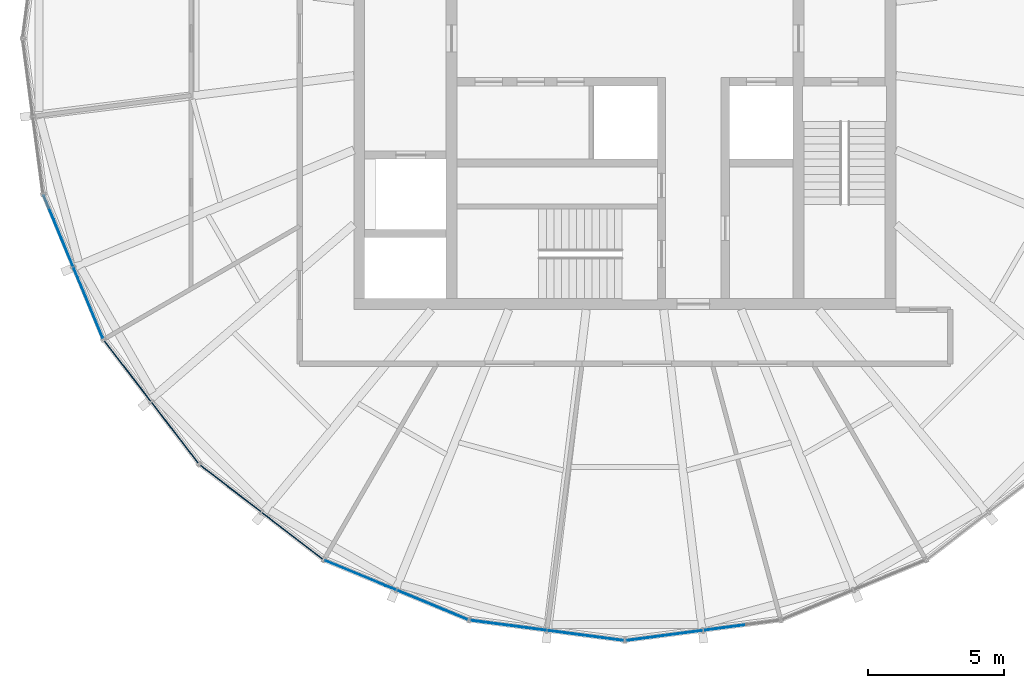
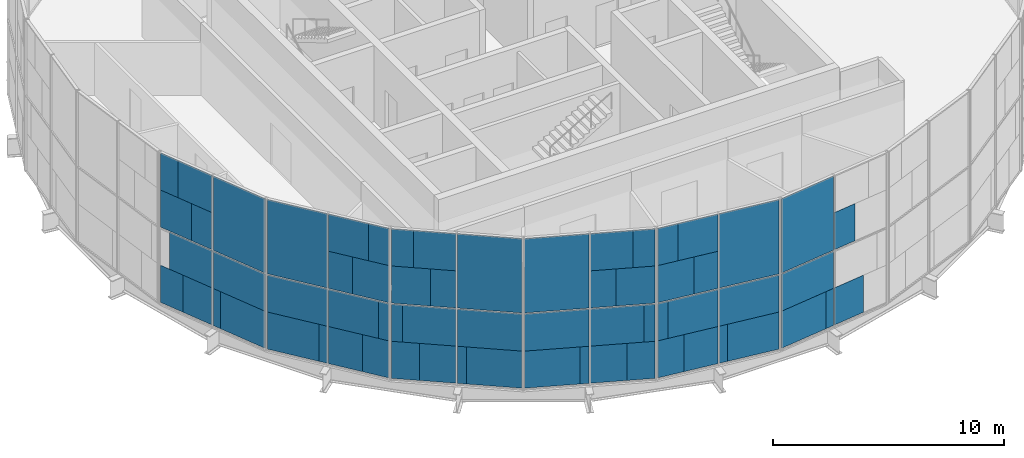
# One storey, part 8 of 19: 65 plates, 6 elements without a shape of their own.
"""IFC4 building model written with IfcOpenShell, lengths in metres."""

from ifc_helpers import new_model, si_unit, direction, frame, origin, origin_2d, place, context, subcontext, project, spatial, rectangle, extrude, material, layer, layer_set, type_object, element, aggregate, save


model = new_model("IFC4")

# Units and contexts
model_context = context("Model", 3, precision=1e-05, world=origin(), true_north=direction((0.0, 1.0)))
body_context = subcontext(model_context, "Body", "Model", "MODEL_VIEW")
ifc_project = project(units=[si_unit("LENGTHUNIT", "METRE"), si_unit("AREAUNIT", "SQUARE_METRE"), si_unit("VOLUMEUNIT", "CUBIC_METRE"), si_unit("PLANEANGLEUNIT", "RADIAN"), si_unit("MASSUNIT", "GRAM", prefix="KILO")], contexts=[model_context])

# Site, building, storey
site_placement = place(None, origin())
site = spatial("IfcSite", under=ifc_project, at=site_placement, CompositionType="ELEMENT")
building_placement = place(site_placement, origin())
building = spatial("IfcBuilding", under=site, at=building_placement, Name="Golbaran Civic Tower", CompositionType="ELEMENT")
storey_placement = place(building_placement, frame((0.0, 0.0, 256.0)))
storey = spatial("IfcBuildingStorey", under=building, at=storey_placement, Name="L62", CompositionType="ELEMENT", Elevation=256.0)

# Curtain wall, plates
ifc_material_1 = material(Name="Aluminium and glass", Category="aluminium")
curtain_wall_type = type_object("IfcCurtainWallType", Name="INNER SKIN CURTAIN WALL EXECUTIVE", PredefinedType="NOTDEFINED", material=ifc_material_1)
curtain_wall_1_placement = place(storey_placement, origin())
curtain_wall_1 = element("IfcCurtainWall", 1, at=curtain_wall_1_placement, inside=storey, type_object=curtain_wall_type, Name="Inner skin L62 facet 14 CW2", ObjectType="INNER SKIN", PredefinedType="USERDEFINED")
ifc_material_2 = material(Name="Clear insulating glass", Category="glass")
ifc_layer_1 = layer(ifc_material_2, 0.031982421875, Name="Clear insulating glass")
ifc_layer_set_1 = layer_set([ifc_layer_1], Name="Clear insulating glass")
plate_type_1 = type_object("IfcPlateType", Name="INNER SKIN CURTAIN WALL EXECUTIVE GLAZED PANEL", PredefinedType="CURTAIN_PANEL", material=ifc_layer_set_1)
plate_1_placement = place(storey_placement, frame((-21.198486328125, -6.371337890625, 0.06005859375), z_axis=(0.0, 0.0, 1.0), x_axis=(0.382683432365, -0.923879532511, 0.0)))
plate_1 = element("IfcPlate", 2, at=plate_1_placement, type_object=plate_type_1, Name="CW2 panel 1.1 part 1", PredefinedType="CURTAIN_PANEL", context=body_context, shape_type="SweptSolid", body=[
    extrude(rectangle(XDim=1.22705078125, YDim=0.031982421875, at=origin_2d()), origin(), (0.0, 0.0, 1.0), 1.955078125),
])
plate_2_placement = place(storey_placement, frame((-20.57177734375, -7.884033203125, 4.030029296875), z_axis=(0.0, 0.0, 1.0), x_axis=(0.382683432365, -0.923879532511, 0.0)))
plate_2 = element("IfcPlate", 3, at=plate_2_placement, type_object=plate_type_1, Name="CW2 panel 1.2 part 2", PredefinedType="CURTAIN_PANEL", context=body_context, shape_type="SweptSolid", body=[
    extrude(rectangle(XDim=1.117431640625, YDim=0.031982421875, at=origin_2d()), origin(), (0.0, 0.0, 1.0), 1.955078125),
])
plate_3_placement = place(storey_placement, frame((-20.71337890625, -7.5419921875, 5.98486328125), z_axis=(0.0, 0.0, 1.0), x_axis=(0.382683432365, -0.923879532511, 0.0)))
plate_3 = element("IfcPlate", 4, at=plate_3_placement, type_object=plate_type_1, Name="CW2 panel 1.2 part 4", PredefinedType="CURTAIN_PANEL", context=body_context, shape_type="SweptSolid", body=[
    extrude(rectangle(XDim=1.857421875, YDim=0.031982421875, at=origin_2d()), origin(), (0.0, 0.0, 1.0), 1.955078125),
])
plate_4_placement = place(storey_placement, frame((-19.720947265625, -9.93798828125, 0.06005859375), z_axis=(0.0, 0.0, 1.0), x_axis=(0.382683432365, -0.923879532511, 0.0)))
plate_4 = element("IfcPlate", 5, at=plate_4_placement, type_object=plate_type_1, Name="CW2 panel 2.1 part 2", PredefinedType="CURTAIN_PANEL", context=body_context, shape_type="SweptSolid", body=[
    extrude(rectangle(XDim=2.409423828125, YDim=0.031982421875, at=origin_2d()), origin(), (0.0, 0.0, 1.0), 1.955078125),
])
plate_5_placement = place(storey_placement, frame((-19.797607421875, -9.75341796875, 2.014892578125), z_axis=(0.0, 0.0, 1.0), x_axis=(0.382683432365, -0.923879532511, 0.0)))
plate_5 = element("IfcPlate", 6, at=plate_5_placement, type_object=plate_type_1, Name="CW2 panel 2.1 part 3", PredefinedType="CURTAIN_PANEL", context=body_context, shape_type="SweptSolid", body=[
    extrude(rectangle(XDim=2.809326171875, YDim=0.031982421875, at=origin_2d()), origin(), (0.0, 0.0, 1.0), 1.955078125),
])
plate_6_placement = place(storey_placement, frame((-19.797607421875, -9.75341796875, 4.0302734375), z_axis=(0.0, 0.0, 1.0), x_axis=(0.382683432365, -0.923879532511, 0.0)))
plate_6 = element("IfcPlate", 7, at=plate_6_placement, type_object=plate_type_1, Name="CW2 panel 2.2", PredefinedType="CURTAIN_PANEL", context=body_context, shape_type="SweptSolid", body=[
    extrude(rectangle(XDim=2.809326171875, YDim=0.031982421875, at=origin_2d()), origin(), (0.0, 0.0, 1.0), 3.909912109375),
])

curtain_wall_2_placement = place(storey_placement, origin())
curtain_wall_2 = element("IfcCurtainWall", 8, at=curtain_wall_2_placement, inside=storey, type_object=curtain_wall_type, Name="Inner skin L62 facet 15 CW2", ObjectType="INNER SKIN", PredefinedType="USERDEFINED")
plate_7_placement = place(storey_placement, frame((-18.467529296875, -12.109375, 0.06005859375), z_axis=(0.0, 0.0, 1.0), x_axis=(0.608761429078, -0.793353340238, 0.0)))
plate_7 = element("IfcPlate", 9, at=plate_7_placement, type_object=plate_type_1, Name="CW2 panel 1.1 part 1", PredefinedType="CURTAIN_PANEL", context=body_context, shape_type="SweptSolid", body=[
    extrude(rectangle(XDim=2.407958984375, YDim=0.031982421875, at=origin_2d()), origin(), (0.0, 0.0, 1.0), 1.955078125),
])
plate_8_placement = place(storey_placement, frame((-18.345458984375, -12.2685546875, 2.014892578125), z_axis=(0.0, 0.0, 1.0), x_axis=(0.608761429078, -0.793353340238, 0.0)))
plate_8 = element("IfcPlate", 10, at=plate_8_placement, type_object=plate_type_1, Name="CW2 panel 1.1 part 3", PredefinedType="CURTAIN_PANEL", context=body_context, shape_type="SweptSolid", body=[
    extrude(rectangle(XDim=2.809326171875, YDim=0.031982421875, at=origin_2d()), origin(), (0.0, 0.0, 1.0), 1.955078125),
])
plate_9_placement = place(storey_placement, frame((-18.345458984375, -12.2685546875, 4.0302734375), z_axis=(0.0, 0.0, 1.0), x_axis=(0.608761429078, -0.793353340238, 0.0)))
plate_9 = element("IfcPlate", 11, at=plate_9_placement, type_object=plate_type_1, Name="CW2 panel 1.2", PredefinedType="CURTAIN_PANEL", context=body_context, shape_type="SweptSolid", body=[
    extrude(rectangle(XDim=2.809326171875, YDim=0.031982421875, at=origin_2d()), origin(), (0.0, 0.0, 1.0), 3.909912109375),
])
plate_10_placement = place(storey_placement, frame((-16.1171875, -15.172607421875, 0.06005859375), z_axis=(0.0, 0.0, 1.0), x_axis=(0.608761429078, -0.793353340238, 0.0)))
plate_10 = element("IfcPlate", 12, at=plate_10_placement, type_object=plate_type_1, Name="CW2 panel 2.1 part 2", PredefinedType="CURTAIN_PANEL", context=body_context, shape_type="SweptSolid", body=[
    extrude(rectangle(XDim=1.227294921875, YDim=0.031982421875, at=origin_2d()), origin(), (0.0, 0.0, 1.0), 1.955078125),
])
plate_11_placement = place(storey_placement, frame((-15.891845703125, -15.466064453125, 2.014892578125), z_axis=(0.0, 0.0, 1.0), x_axis=(0.608761429078, -0.793353340238, 0.0)))
plate_11 = element("IfcPlate", 13, at=plate_11_placement, type_object=plate_type_1, Name="CW2 panel 2.1 part 4", PredefinedType="CURTAIN_PANEL", context=body_context, shape_type="SweptSolid", body=[
    extrude(rectangle(XDim=0.4873046875, YDim=0.031982421875, at=origin_2d()), origin(), (0.0, 0.0, 1.0), 1.955078125),
])
plate_12_placement = place(storey_placement, frame((-17.113525390625, -13.8740234375, 4.030029296875), z_axis=(0.0, 0.0, 1.0), x_axis=(0.608761429078, -0.793353340238, 0.0)))
plate_12 = element("IfcPlate", 14, at=plate_12_placement, type_object=plate_type_1, Name="CW2 panel 2.2 part 1", PredefinedType="CURTAIN_PANEL", context=body_context, shape_type="SweptSolid", body=[
    extrude(rectangle(XDim=1.117919921875, YDim=0.031982421875, at=origin_2d()), origin(), (0.0, 0.0, 1.0), 1.955078125),
])
plate_13_placement = place(storey_placement, frame((-16.888427734375, -14.167236328125, 5.98486328125), z_axis=(0.0, 0.0, 1.0), x_axis=(0.608761429078, -0.793353340238, 0.0)))
plate_13 = element("IfcPlate", 15, at=plate_13_placement, type_object=plate_type_1, Name="CW2 panel 2.2 part 3", PredefinedType="CURTAIN_PANEL", context=body_context, shape_type="SweptSolid", body=[
    extrude(rectangle(XDim=1.85693359375, YDim=0.031982421875, at=origin_2d()), origin(), (0.0, 0.0, 1.0), 1.955078125),
])

curtain_wall_3_placement = place(storey_placement, origin())
curtain_wall_3 = element("IfcCurtainWall", 16, at=curtain_wall_3_placement, inside=storey, type_object=curtain_wall_type, Name="Inner skin L62 facet 16 CW2", ObjectType="INNER SKIN", PredefinedType="USERDEFINED")
plate_14_placement = place(storey_placement, frame((-15.172607421875, -16.116943359375, 0.06005859375), z_axis=(0.0, 0.0, 1.0), x_axis=(0.793353340238, -0.608761429078, 0.0)))
plate_14 = element("IfcPlate", 17, at=plate_14_placement, type_object=plate_type_1, Name="CW2 panel 1.1 part 1", PredefinedType="CURTAIN_PANEL", context=body_context, shape_type="SweptSolid", body=[
    extrude(rectangle(XDim=1.22705078125, YDim=0.031982421875, at=origin_2d()), origin(), (0.0, 0.0, 1.0), 1.955078125),
])
plate_15_placement = place(storey_placement, frame((-15.4658203125, -15.89208984375, 2.014892578125), z_axis=(0.0, 0.0, 1.0), x_axis=(0.793353340238, -0.608761429078, 0.0)))
plate_15 = element("IfcPlate", 18, at=plate_15_placement, type_object=plate_type_1, Name="CW2 panel 1.1 part 3", PredefinedType="CURTAIN_PANEL", context=body_context, shape_type="SweptSolid", body=[
    extrude(rectangle(XDim=0.488037109375, YDim=0.031982421875, at=origin_2d()), origin(), (0.0, 0.0, 1.0), 1.955078125),
])
plate_16_placement = place(storey_placement, frame((-13.873779296875, -17.113525390625, 4.030029296875), z_axis=(0.0, 0.0, 1.0), x_axis=(0.793353340238, -0.608761429078, 0.0)))
plate_16 = element("IfcPlate", 19, at=plate_16_placement, type_object=plate_type_1, Name="CW2 panel 1.2 part 2", PredefinedType="CURTAIN_PANEL", context=body_context, shape_type="SweptSolid", body=[
    extrude(rectangle(XDim=1.117431640625, YDim=0.031982421875, at=origin_2d()), origin(), (0.0, 0.0, 1.0), 1.955078125),
])
plate_17_placement = place(storey_placement, frame((-14.167236328125, -16.888427734375, 5.98486328125), z_axis=(0.0, 0.0, 1.0), x_axis=(0.793353340238, -0.608761429078, 0.0)))
plate_17 = element("IfcPlate", 20, at=plate_17_placement, type_object=plate_type_1, Name="CW2 panel 1.2 part 4", PredefinedType="CURTAIN_PANEL", context=body_context, shape_type="SweptSolid", body=[
    extrude(rectangle(XDim=1.857421875, YDim=0.031982421875, at=origin_2d()), origin(), (0.0, 0.0, 1.0), 1.955078125),
])
plate_18_placement = place(storey_placement, frame((-12.10986328125, -18.467041015625, 0.06005859375), z_axis=(0.0, 0.0, 1.0), x_axis=(0.793353340238, -0.608761429078, 0.0)))
plate_18 = element("IfcPlate", 21, at=plate_18_placement, type_object=plate_type_1, Name="CW2 panel 2.1 part 2", PredefinedType="CURTAIN_PANEL", context=body_context, shape_type="SweptSolid", body=[
    extrude(rectangle(XDim=2.409423828125, YDim=0.031982421875, at=origin_2d()), origin(), (0.0, 0.0, 1.0), 1.955078125),
])
plate_19_placement = place(storey_placement, frame((-12.2685546875, -18.345458984375, 2.014892578125), z_axis=(0.0, 0.0, 1.0), x_axis=(0.793353340238, -0.608761429078, 0.0)))
plate_19 = element("IfcPlate", 22, at=plate_19_placement, type_object=plate_type_1, Name="CW2 panel 2.1 part 3", PredefinedType="CURTAIN_PANEL", context=body_context, shape_type="SweptSolid", body=[
    extrude(rectangle(XDim=2.809326171875, YDim=0.031982421875, at=origin_2d()), origin(), (0.0, 0.0, 1.0), 1.955078125),
])
plate_20_placement = place(storey_placement, frame((-12.2685546875, -18.345458984375, 4.0302734375), z_axis=(0.0, 0.0, 1.0), x_axis=(0.793353340238, -0.608761429078, 0.0)))
plate_20 = element("IfcPlate", 23, at=plate_20_placement, type_object=plate_type_1, Name="CW2 panel 2.2", PredefinedType="CURTAIN_PANEL", context=body_context, shape_type="SweptSolid", body=[
    extrude(rectangle(XDim=2.809326171875, YDim=0.031982421875, at=origin_2d()), origin(), (0.0, 0.0, 1.0), 3.909912109375),
])

curtain_wall_4_placement = place(storey_placement, origin())
curtain_wall_4 = element("IfcCurtainWall", 24, at=curtain_wall_4_placement, inside=storey, type_object=curtain_wall_type, Name="Inner skin L62 facet 17 CW2", ObjectType="INNER SKIN", PredefinedType="USERDEFINED")
plate_21_placement = place(storey_placement, frame((-9.938720703125, -19.720703125, 0.06005859375), z_axis=(0.0, 0.0, 1.0), x_axis=(0.923879532511, -0.382683432365, 0.0)))
plate_21 = element("IfcPlate", 25, at=plate_21_placement, type_object=plate_type_1, Name="CW2 panel 1.1 part 1", PredefinedType="CURTAIN_PANEL", context=body_context, shape_type="SweptSolid", body=[
    extrude(rectangle(XDim=2.407958984375, YDim=0.031982421875, at=origin_2d()), origin(), (0.0, 0.0, 1.0), 1.955078125),
])
plate_22_placement = place(storey_placement, frame((-9.75341796875, -19.797607421875, 2.014892578125), z_axis=(0.0, 0.0, 1.0), x_axis=(0.923879532511, -0.382683432365, 0.0)))
plate_22 = element("IfcPlate", 26, at=plate_22_placement, type_object=plate_type_1, Name="CW2 panel 1.1 part 3", PredefinedType="CURTAIN_PANEL", context=body_context, shape_type="SweptSolid", body=[
    extrude(rectangle(XDim=2.809326171875, YDim=0.031982421875, at=origin_2d()), origin(), (0.0, 0.0, 1.0), 1.955078125),
])
plate_23_placement = place(storey_placement, frame((-9.75341796875, -19.797607421875, 4.0302734375), z_axis=(0.0, 0.0, 1.0), x_axis=(0.923879532511, -0.382683432365, 0.0)))
plate_23 = element("IfcPlate", 27, at=plate_23_placement, type_object=plate_type_1, Name="CW2 panel 1.2", PredefinedType="CURTAIN_PANEL", context=body_context, shape_type="SweptSolid", body=[
    extrude(rectangle(XDim=2.809326171875, YDim=0.031982421875, at=origin_2d()), origin(), (0.0, 0.0, 1.0), 3.909912109375),
])
plate_24_placement = place(storey_placement, frame((-6.37158203125, -21.1982421875, 0.06005859375), z_axis=(0.0, 0.0, 1.0), x_axis=(0.923879532511, -0.382683432365, 0.0)))
plate_24 = element("IfcPlate", 28, at=plate_24_placement, type_object=plate_type_1, Name="CW2 panel 2.1 part 2", PredefinedType="CURTAIN_PANEL", context=body_context, shape_type="SweptSolid", body=[
    extrude(rectangle(XDim=1.227294921875, YDim=0.031982421875, at=origin_2d()), origin(), (0.0, 0.0, 1.0), 1.955078125),
])
plate_25_placement = place(storey_placement, frame((-6.02978515625, -21.33984375, 2.014892578125), z_axis=(0.0, 0.0, 1.0), x_axis=(0.923879532511, -0.382683432365, 0.0)))
plate_25 = element("IfcPlate", 29, at=plate_25_placement, type_object=plate_type_1, Name="CW2 panel 2.1 part 4", PredefinedType="CURTAIN_PANEL", context=body_context, shape_type="SweptSolid", body=[
    extrude(rectangle(XDim=0.4873046875, YDim=0.031982421875, at=origin_2d()), origin(), (0.0, 0.0, 1.0), 1.955078125),
])
plate_26_placement = place(storey_placement, frame((-7.883544921875, -20.572021484375, 4.030029296875), z_axis=(0.0, 0.0, 1.0), x_axis=(0.923879532511, -0.382683432365, 0.0)))
plate_26 = element("IfcPlate", 30, at=plate_26_placement, type_object=plate_type_1, Name="CW2 panel 2.2 part 1", PredefinedType="CURTAIN_PANEL", context=body_context, shape_type="SweptSolid", body=[
    extrude(rectangle(XDim=1.117919921875, YDim=0.031982421875, at=origin_2d()), origin(), (0.0, 0.0, 1.0), 1.955078125),
])
plate_27_placement = place(storey_placement, frame((-7.542236328125, -20.71337890625, 5.98486328125), z_axis=(0.0, 0.0, 1.0), x_axis=(0.923879532511, -0.382683432365, 0.0)))
plate_27 = element("IfcPlate", 31, at=plate_27_placement, type_object=plate_type_1, Name="CW2 panel 2.2 part 3", PredefinedType="CURTAIN_PANEL", context=body_context, shape_type="SweptSolid", body=[
    extrude(rectangle(XDim=1.85693359375, YDim=0.031982421875, at=origin_2d()), origin(), (0.0, 0.0, 1.0), 1.955078125),
])

curtain_wall_5_placement = place(storey_placement, origin())
curtain_wall_5 = element("IfcCurtainWall", 32, at=curtain_wall_5_placement, inside=storey, type_object=curtain_wall_type, Name="Inner skin L62 facet 18 CW2", ObjectType="INNER SKIN", PredefinedType="USERDEFINED")
plate_28_placement = place(storey_placement, frame((-5.081298828125, -21.5439453125, 0.06005859375), z_axis=(0.0, 0.0, 1.0), x_axis=(0.991444861367, -0.130526192272, 0.0)))
plate_28 = element("IfcPlate", 33, at=plate_28_placement, type_object=plate_type_1, Name="CW2 panel 1.1 part 1", PredefinedType="CURTAIN_PANEL", context=body_context, shape_type="SweptSolid", body=[
    extrude(rectangle(XDim=1.22705078125, YDim=0.031982421875, at=origin_2d()), origin(), (0.0, 0.0, 1.0), 1.955078125),
])
plate_29_placement = place(storey_placement, frame((-5.44775390625, -21.495849609375, 2.014892578125), z_axis=(0.0, 0.0, 1.0), x_axis=(0.991444861367, -0.130526192272, 0.0)))
plate_29 = element("IfcPlate", 34, at=plate_29_placement, type_object=plate_type_1, Name="CW2 panel 1.1 part 3", PredefinedType="CURTAIN_PANEL", context=body_context, shape_type="SweptSolid", body=[
    extrude(rectangle(XDim=0.488037109375, YDim=0.031982421875, at=origin_2d()), origin(), (0.0, 0.0, 1.0), 1.955078125),
])
plate_30_placement = place(storey_placement, frame((-3.458251953125, -21.7578125, 4.030029296875), z_axis=(0.0, 0.0, 1.0), x_axis=(0.991444861367, -0.130526192272, 0.0)))
plate_30 = element("IfcPlate", 35, at=plate_30_placement, type_object=plate_type_1, Name="CW2 panel 1.2 part 2", PredefinedType="CURTAIN_PANEL", context=body_context, shape_type="SweptSolid", body=[
    extrude(rectangle(XDim=1.117431640625, YDim=0.031982421875, at=origin_2d()), origin(), (0.0, 0.0, 1.0), 1.955078125),
])
plate_31_placement = place(storey_placement, frame((-3.824951171875, -21.70947265625, 5.98486328125), z_axis=(0.0, 0.0, 1.0), x_axis=(0.991444861367, -0.130526192272, 0.0)))
plate_31 = element("IfcPlate", 36, at=plate_31_placement, type_object=plate_type_1, Name="CW2 panel 1.2 part 4", PredefinedType="CURTAIN_PANEL", context=body_context, shape_type="SweptSolid", body=[
    extrude(rectangle(XDim=1.857421875, YDim=0.031982421875, at=origin_2d()), origin(), (0.0, 0.0, 1.0), 1.955078125),
])
plate_32_placement = place(storey_placement, frame((-1.25390625, -22.0478515625, 0.06005859375), z_axis=(0.0, 0.0, 1.0), x_axis=(0.991444861367, -0.130526192272, 0.0)))
plate_32 = element("IfcPlate", 37, at=plate_32_placement, type_object=plate_type_1, Name="CW2 panel 2.1 part 2", PredefinedType="CURTAIN_PANEL", context=body_context, shape_type="SweptSolid", body=[
    extrude(rectangle(XDim=2.409423828125, YDim=0.031982421875, at=origin_2d()), origin(), (0.0, 0.0, 1.0), 1.955078125),
])
plate_33_placement = place(storey_placement, frame((-1.4521484375, -22.021728515625, 2.014892578125), z_axis=(0.0, 0.0, 1.0), x_axis=(0.991444861367, -0.130526192272, 0.0)))
plate_33 = element("IfcPlate", 38, at=plate_33_placement, type_object=plate_type_1, Name="CW2 panel 2.1 part 3", PredefinedType="CURTAIN_PANEL", context=body_context, shape_type="SweptSolid", body=[
    extrude(rectangle(XDim=2.809326171875, YDim=0.031982421875, at=origin_2d()), origin(), (0.0, 0.0, 1.0), 1.955078125),
])
plate_34_placement = place(storey_placement, frame((-1.4521484375, -22.021728515625, 4.0302734375), z_axis=(0.0, 0.0, 1.0), x_axis=(0.991444861367, -0.130526192272, 0.0)))
plate_34 = element("IfcPlate", 39, at=plate_34_placement, type_object=plate_type_1, Name="CW2 panel 2.2", PredefinedType="CURTAIN_PANEL", context=body_context, shape_type="SweptSolid", body=[
    extrude(rectangle(XDim=2.809326171875, YDim=0.031982421875, at=origin_2d()), origin(), (0.0, 0.0, 1.0), 3.909912109375),
])

curtain_wall_6_placement = place(storey_placement, origin())
curtain_wall_6 = element("IfcCurtainWall", 40, at=curtain_wall_6_placement, inside=storey, type_object=curtain_wall_type, Name="Inner skin L62 facet 19 CW2", ObjectType="INNER SKIN", PredefinedType="USERDEFINED")
plate_35_placement = place(storey_placement, frame((1.253173828125, -22.048095703125, 0.06005859375), z_axis=(0.0, 0.0, 1.0), x_axis=(0.991444861367, 0.130526192272, 0.0)))
plate_35 = element("IfcPlate", 41, at=plate_35_placement, type_object=plate_type_1, Name="CW2 panel 1.1 part 1", PredefinedType="CURTAIN_PANEL", context=body_context, shape_type="SweptSolid", body=[
    extrude(rectangle(XDim=2.407958984375, YDim=0.031982421875, at=origin_2d()), origin(), (0.0, 0.0, 1.0), 1.955078125),
])
plate_36_placement = place(storey_placement, frame((1.4521484375, -22.021728515625, 2.014892578125), z_axis=(0.0, 0.0, 1.0), x_axis=(0.991444861367, 0.130526192272, 0.0)))
plate_36 = element("IfcPlate", 42, at=plate_36_placement, type_object=plate_type_1, Name="CW2 panel 1.1 part 3", PredefinedType="CURTAIN_PANEL", context=body_context, shape_type="SweptSolid", body=[
    extrude(rectangle(XDim=2.809326171875, YDim=0.031982421875, at=origin_2d()), origin(), (0.0, 0.0, 1.0), 1.955078125),
])
plate_37_placement = place(storey_placement, frame((1.4521484375, -22.021728515625, 4.0302734375), z_axis=(0.0, 0.0, 1.0), x_axis=(0.991444861367, 0.130526192272, 0.0)))
plate_37 = element("IfcPlate", 43, at=plate_37_placement, type_object=plate_type_1, Name="CW2 panel 1.2", PredefinedType="CURTAIN_PANEL", context=body_context, shape_type="SweptSolid", body=[
    extrude(rectangle(XDim=2.809326171875, YDim=0.031982421875, at=origin_2d()), origin(), (0.0, 0.0, 1.0), 3.909912109375),
])
plate_38_placement = place(storey_placement, frame((3.45849609375, -21.757568359375, 4.030029296875), z_axis=(0.0, 0.0, 1.0), x_axis=(0.991444861367, 0.130526192272, 0.0)))
plate_38 = element("IfcPlate", 44, at=plate_38_placement, type_object=plate_type_1, Name="CW2 panel 2.2 part 1", PredefinedType="CURTAIN_PANEL", context=body_context, shape_type="SweptSolid", body=[
    extrude(rectangle(XDim=1.117919921875, YDim=0.031982421875, at=origin_2d()), origin(), (0.0, 0.0, 1.0), 1.955078125),
])

# Plate
ifc_material_3 = material(Name="Aluminium faced opaque infill panel", Category="aluminium")
ifc_layer_2 = layer(ifc_material_3, 0.031982421875, Name="Aluminium faced opaque infill panel")
ifc_layer_set_2 = layer_set([ifc_layer_2], Name="Aluminium faced opaque infill panel")
plate_type_2 = type_object("IfcPlateType", Name="INNER SKIN CURTAIN WALL EXECUTIVE OPAQUE INFILL PANEL", PredefinedType="CURTAIN_PANEL", material=ifc_layer_set_2)
plate_39_placement = place(storey_placement, frame((-20.660888671875, -7.669189453125, 0.06005859375), z_axis=(0.0, 0.0, 1.0), x_axis=(0.382683432365, -0.923879532511, 0.0)))
plate_39 = element("IfcPlate", 45, at=plate_39_placement, type_object=plate_type_2, Name="CW2 infill panel 1.1 part 2", PredefinedType="CURTAIN_PANEL", context=body_context, shape_type="SweptSolid", body=[
    extrude(rectangle(XDim=1.582275390625, YDim=0.031982421875, at=origin_2d()), origin(), (0.0, 0.0, 1.0), 1.955078125),
])

plate_40_placement = place(storey_placement, frame((-20.80224609375, -7.327880859375, 2.014892578125), z_axis=(0.0, 0.0, 1.0), x_axis=(0.382683432365, -0.923879532511, 0.0)))
plate_40 = element("IfcPlate", 46, at=plate_40_placement, type_object=plate_type_2, Name="CW2 infill panel 1.1 part 4", PredefinedType="CURTAIN_PANEL", context=body_context, shape_type="SweptSolid", body=[
    extrude(rectangle(XDim=2.3212890625, YDim=0.031982421875, at=origin_2d()), origin(), (0.0, 0.0, 1.0), 1.955078125),
])

plate_41_placement = place(storey_placement, frame((-21.109375, -6.586181640625, 4.030029296875), z_axis=(0.0, 0.0, 1.0), x_axis=(0.382683432365, -0.923879532511, 0.0)))
plate_41 = element("IfcPlate", 47, at=plate_41_placement, type_object=plate_type_2, Name="CW2 infill panel 1.2 part 1", PredefinedType="CURTAIN_PANEL", context=body_context, shape_type="SweptSolid", body=[
    extrude(rectangle(XDim=1.69189453125, YDim=0.031982421875, at=origin_2d()), origin(), (0.0, 0.0, 1.0), 1.955078125),
])

plate_42_placement = place(storey_placement, frame((-21.2509765625, -6.244384765625, 5.98486328125), z_axis=(0.0, 0.0, 1.0), x_axis=(0.382683432365, -0.923879532511, 0.0)))
plate_42 = element("IfcPlate", 48, at=plate_42_placement, type_object=plate_type_2, Name="CW2 infill panel 1.2 part 3", PredefinedType="CURTAIN_PANEL", context=body_context, shape_type="SweptSolid", body=[
    extrude(rectangle(XDim=0.951904296875, YDim=0.031982421875, at=origin_2d()), origin(), (0.0, 0.0, 1.0), 1.955078125),
])

plate_43_placement = place(storey_placement, frame((-20.258544921875, -8.640380859375, 0.06005859375), z_axis=(0.0, 0.0, 1.0), x_axis=(0.382683432365, -0.923879532511, 0.0)))
plate_43 = element("IfcPlate", 49, at=plate_43_placement, type_object=plate_type_2, Name="CW2 infill panel 2.1 part 1", PredefinedType="CURTAIN_PANEL", context=body_context, shape_type="SweptSolid", body=[
    extrude(rectangle(XDim=0.39990234375, YDim=0.031982421875, at=origin_2d()), origin(), (0.0, 0.0, 1.0), 1.955078125),
])

aggregate(curtain_wall_1, [plate_1, plate_39, plate_40, plate_41, plate_2, plate_42, plate_3, plate_43, plate_4, plate_5, plate_6])

plate_44_placement = place(storey_placement, frame((-17.612548828125, -13.2236328125, 0.06005859375), z_axis=(0.0, 0.0, 1.0), x_axis=(0.608761429078, -0.793353340238, 0.0)))
plate_44 = element("IfcPlate", 50, at=plate_44_placement, type_object=plate_type_2, Name="CW2 infill panel 1.1 part 2", PredefinedType="CURTAIN_PANEL", context=body_context, shape_type="SweptSolid", body=[
    extrude(rectangle(XDim=0.4013671875, YDim=0.031982421875, at=origin_2d()), origin(), (0.0, 0.0, 1.0), 1.955078125),
])

plate_45_placement = place(storey_placement, frame((-16.97216796875, -14.05810546875, 0.06005859375), z_axis=(0.0, 0.0, 1.0), x_axis=(0.608761429078, -0.793353340238, 0.0)))
plate_45 = element("IfcPlate", 51, at=plate_45_placement, type_object=plate_type_2, Name="CW2 infill panel 2.1 part 1", PredefinedType="CURTAIN_PANEL", context=body_context, shape_type="SweptSolid", body=[
    extrude(rectangle(XDim=1.58203125, YDim=0.031982421875, at=origin_2d()), origin(), (0.0, 0.0, 1.0), 1.955078125),
])

plate_46_placement = place(storey_placement, frame((-16.7470703125, -14.3515625, 2.014892578125), z_axis=(0.0, 0.0, 1.0), x_axis=(0.608761429078, -0.793353340238, 0.0)))
plate_46 = element("IfcPlate", 52, at=plate_46_placement, type_object=plate_type_2, Name="CW2 infill panel 2.1 part 3", PredefinedType="CURTAIN_PANEL", context=body_context, shape_type="SweptSolid", body=[
    extrude(rectangle(XDim=2.322021484375, YDim=0.031982421875, at=origin_2d()), origin(), (0.0, 0.0, 1.0), 1.955078125),
])

plate_47_placement = place(storey_placement, frame((-16.25830078125, -14.988525390625, 4.030029296875), z_axis=(0.0, 0.0, 1.0), x_axis=(0.608761429078, -0.793353340238, 0.0)))
plate_47 = element("IfcPlate", 53, at=plate_47_placement, type_object=plate_type_2, Name="CW2 infill panel 2.2 part 2", PredefinedType="CURTAIN_PANEL", context=body_context, shape_type="SweptSolid", body=[
    extrude(rectangle(XDim=1.69140625, YDim=0.031982421875, at=origin_2d()), origin(), (0.0, 0.0, 1.0), 1.955078125),
])

plate_48_placement = place(storey_placement, frame((-16.033447265625, -15.281494140625, 5.98486328125), z_axis=(0.0, 0.0, 1.0), x_axis=(0.608761429078, -0.793353340238, 0.0)))
plate_48 = element("IfcPlate", 54, at=plate_48_placement, type_object=plate_type_2, Name="CW2 infill panel 2.2 part 4", PredefinedType="CURTAIN_PANEL", context=body_context, shape_type="SweptSolid", body=[
    extrude(rectangle(XDim=0.952392578125, YDim=0.031982421875, at=origin_2d()), origin(), (0.0, 0.0, 1.0), 1.955078125),
])

aggregate(curtain_wall_2, [plate_7, plate_44, plate_8, plate_9, plate_45, plate_10, plate_46, plate_11, plate_12, plate_47, plate_13, plate_48])

plate_49_placement = place(storey_placement, frame((-14.05810546875, -16.97216796875, 0.06005859375), z_axis=(0.0, 0.0, 1.0), x_axis=(0.793353340238, -0.608761429078, 0.0)))
plate_49 = element("IfcPlate", 55, at=plate_49_placement, type_object=plate_type_2, Name="CW2 infill panel 1.1 part 2", PredefinedType="CURTAIN_PANEL", context=body_context, shape_type="SweptSolid", body=[
    extrude(rectangle(XDim=1.582275390625, YDim=0.031982421875, at=origin_2d()), origin(), (0.0, 0.0, 1.0), 1.955078125),
])

plate_50_placement = place(storey_placement, frame((-14.351318359375, -16.7470703125, 2.014892578125), z_axis=(0.0, 0.0, 1.0), x_axis=(0.793353340238, -0.608761429078, 0.0)))
plate_50 = element("IfcPlate", 56, at=plate_50_placement, type_object=plate_type_2, Name="CW2 infill panel 1.1 part 4", PredefinedType="CURTAIN_PANEL", context=body_context, shape_type="SweptSolid", body=[
    extrude(rectangle(XDim=2.3212890625, YDim=0.031982421875, at=origin_2d()), origin(), (0.0, 0.0, 1.0), 1.955078125),
])

plate_51_placement = place(storey_placement, frame((-14.98828125, -16.258544921875, 4.030029296875), z_axis=(0.0, 0.0, 1.0), x_axis=(0.793353340238, -0.608761429078, 0.0)))
plate_51 = element("IfcPlate", 57, at=plate_51_placement, type_object=plate_type_2, Name="CW2 infill panel 1.2 part 1", PredefinedType="CURTAIN_PANEL", context=body_context, shape_type="SweptSolid", body=[
    extrude(rectangle(XDim=1.69189453125, YDim=0.031982421875, at=origin_2d()), origin(), (0.0, 0.0, 1.0), 1.955078125),
])

plate_52_placement = place(storey_placement, frame((-15.28173828125, -16.033203125, 5.98486328125), z_axis=(0.0, 0.0, 1.0), x_axis=(0.793353340238, -0.608761429078, 0.0)))
plate_52 = element("IfcPlate", 58, at=plate_52_placement, type_object=plate_type_2, Name="CW2 infill panel 1.2 part 3", PredefinedType="CURTAIN_PANEL", context=body_context, shape_type="SweptSolid", body=[
    extrude(rectangle(XDim=0.951904296875, YDim=0.031982421875, at=origin_2d()), origin(), (0.0, 0.0, 1.0), 1.955078125),
])

plate_53_placement = place(storey_placement, frame((-13.224365234375, -17.612060546875, 0.06005859375), z_axis=(0.0, 0.0, 1.0), x_axis=(0.793353340238, -0.608761429078, 0.0)))
plate_53 = element("IfcPlate", 59, at=plate_53_placement, type_object=plate_type_2, Name="CW2 infill panel 2.1 part 1", PredefinedType="CURTAIN_PANEL", context=body_context, shape_type="SweptSolid", body=[
    extrude(rectangle(XDim=0.39990234375, YDim=0.031982421875, at=origin_2d()), origin(), (0.0, 0.0, 1.0), 1.955078125),
])

aggregate(curtain_wall_3, [plate_14, plate_49, plate_15, plate_50, plate_51, plate_16, plate_52, plate_17, plate_53, plate_18, plate_19, plate_20])

plate_54_placement = place(storey_placement, frame((-8.640869140625, -20.25830078125, 0.06005859375), z_axis=(0.0, 0.0, 1.0), x_axis=(0.923879532511, -0.382683432365, 0.0)))
plate_54 = element("IfcPlate", 60, at=plate_54_placement, type_object=plate_type_2, Name="CW2 infill panel 1.1 part 2", PredefinedType="CURTAIN_PANEL", context=body_context, shape_type="SweptSolid", body=[
    extrude(rectangle(XDim=0.4013671875, YDim=0.031982421875, at=origin_2d()), origin(), (0.0, 0.0, 1.0), 1.955078125),
])

plate_55_placement = place(storey_placement, frame((-7.66943359375, -20.66064453125, 0.06005859375), z_axis=(0.0, 0.0, 1.0), x_axis=(0.923879532511, -0.382683432365, 0.0)))
plate_55 = element("IfcPlate", 61, at=plate_55_placement, type_object=plate_type_2, Name="CW2 infill panel 2.1 part 1", PredefinedType="CURTAIN_PANEL", context=body_context, shape_type="SweptSolid", body=[
    extrude(rectangle(XDim=1.58203125, YDim=0.031982421875, at=origin_2d()), origin(), (0.0, 0.0, 1.0), 1.955078125),
])

plate_56_placement = place(storey_placement, frame((-7.327392578125, -20.80224609375, 2.014892578125), z_axis=(0.0, 0.0, 1.0), x_axis=(0.923879532511, -0.382683432365, 0.0)))
plate_56 = element("IfcPlate", 62, at=plate_56_placement, type_object=plate_type_2, Name="CW2 infill panel 2.1 part 3", PredefinedType="CURTAIN_PANEL", context=body_context, shape_type="SweptSolid", body=[
    extrude(rectangle(XDim=2.322021484375, YDim=0.031982421875, at=origin_2d()), origin(), (0.0, 0.0, 1.0), 1.955078125),
])

plate_57_placement = place(storey_placement, frame((-6.5859375, -21.109619140625, 4.030029296875), z_axis=(0.0, 0.0, 1.0), x_axis=(0.923879532511, -0.382683432365, 0.0)))
plate_57 = element("IfcPlate", 63, at=plate_57_placement, type_object=plate_type_2, Name="CW2 infill panel 2.2 part 2", PredefinedType="CURTAIN_PANEL", context=body_context, shape_type="SweptSolid", body=[
    extrude(rectangle(XDim=1.69140625, YDim=0.031982421875, at=origin_2d()), origin(), (0.0, 0.0, 1.0), 1.955078125),
])

plate_58_placement = place(storey_placement, frame((-6.24462890625, -21.2509765625, 5.98486328125), z_axis=(0.0, 0.0, 1.0), x_axis=(0.923879532511, -0.382683432365, 0.0)))
plate_58 = element("IfcPlate", 64, at=plate_58_placement, type_object=plate_type_2, Name="CW2 infill panel 2.2 part 4", PredefinedType="CURTAIN_PANEL", context=body_context, shape_type="SweptSolid", body=[
    extrude(rectangle(XDim=0.952392578125, YDim=0.031982421875, at=origin_2d()), origin(), (0.0, 0.0, 1.0), 1.955078125),
])

aggregate(curtain_wall_4, [plate_21, plate_54, plate_22, plate_23, plate_55, plate_24, plate_56, plate_25, plate_26, plate_57, plate_27, plate_58])

plate_59_placement = place(storey_placement, frame((-3.688720703125, -21.727294921875, 0.06005859375), z_axis=(0.0, 0.0, 1.0), x_axis=(0.991444861367, -0.130526192272, 0.0)))
plate_59 = element("IfcPlate", 65, at=plate_59_placement, type_object=plate_type_2, Name="CW2 infill panel 1.1 part 2", PredefinedType="CURTAIN_PANEL", context=body_context, shape_type="SweptSolid", body=[
    extrude(rectangle(XDim=1.582275390625, YDim=0.031982421875, at=origin_2d()), origin(), (0.0, 0.0, 1.0), 1.955078125),
])

plate_60_placement = place(storey_placement, frame((-4.05517578125, -21.67919921875, 2.014892578125), z_axis=(0.0, 0.0, 1.0), x_axis=(0.991444861367, -0.130526192272, 0.0)))
plate_60 = element("IfcPlate", 66, at=plate_60_placement, type_object=plate_type_2, Name="CW2 infill panel 1.1 part 4", PredefinedType="CURTAIN_PANEL", context=body_context, shape_type="SweptSolid", body=[
    extrude(rectangle(XDim=2.3212890625, YDim=0.031982421875, at=origin_2d()), origin(), (0.0, 0.0, 1.0), 1.955078125),
])

plate_61_placement = place(storey_placement, frame((-4.850830078125, -21.574462890625, 4.030029296875), z_axis=(0.0, 0.0, 1.0), x_axis=(0.991444861367, -0.130526192272, 0.0)))
plate_61 = element("IfcPlate", 67, at=plate_61_placement, type_object=plate_type_2, Name="CW2 infill panel 1.2 part 1", PredefinedType="CURTAIN_PANEL", context=body_context, shape_type="SweptSolid", body=[
    extrude(rectangle(XDim=1.69189453125, YDim=0.031982421875, at=origin_2d()), origin(), (0.0, 0.0, 1.0), 1.955078125),
])

plate_62_placement = place(storey_placement, frame((-5.2177734375, -21.526123046875, 5.98486328125), z_axis=(0.0, 0.0, 1.0), x_axis=(0.991444861367, -0.130526192272, 0.0)))
plate_62 = element("IfcPlate", 68, at=plate_62_placement, type_object=plate_type_2, Name="CW2 infill panel 1.2 part 3", PredefinedType="CURTAIN_PANEL", context=body_context, shape_type="SweptSolid", body=[
    extrude(rectangle(XDim=0.951904296875, YDim=0.031982421875, at=origin_2d()), origin(), (0.0, 0.0, 1.0), 1.955078125),
])

plate_63_placement = place(storey_placement, frame((-2.646484375, -21.864501953125, 0.06005859375), z_axis=(0.0, 0.0, 1.0), x_axis=(0.991444861367, -0.130526192272, 0.0)))
plate_63 = element("IfcPlate", 69, at=plate_63_placement, type_object=plate_type_2, Name="CW2 infill panel 2.1 part 1", PredefinedType="CURTAIN_PANEL", context=body_context, shape_type="SweptSolid", body=[
    extrude(rectangle(XDim=0.39990234375, YDim=0.031982421875, at=origin_2d()), origin(), (0.0, 0.0, 1.0), 1.955078125),
])

aggregate(curtain_wall_5, [plate_28, plate_59, plate_29, plate_60, plate_61, plate_30, plate_62, plate_31, plate_63, plate_32, plate_33, plate_34])

plate_64_placement = place(storey_placement, frame((2.645751953125, -21.86474609375, 0.06005859375), z_axis=(0.0, 0.0, 1.0), x_axis=(0.991444861367, 0.130526192272, 0.0)))
plate_64 = element("IfcPlate", 70, at=plate_64_placement, type_object=plate_type_2, Name="CW2 infill panel 1.1 part 2", PredefinedType="CURTAIN_PANEL", context=body_context, shape_type="SweptSolid", body=[
    extrude(rectangle(XDim=0.4013671875, YDim=0.031982421875, at=origin_2d()), origin(), (0.0, 0.0, 1.0), 1.955078125),
])

plate_65_placement = place(storey_placement, frame((3.6884765625, -21.727294921875, 0.06005859375), z_axis=(0.0, 0.0, 1.0), x_axis=(0.991444861367, 0.130526192272, 0.0)))
plate_65 = element("IfcPlate", 71, at=plate_65_placement, type_object=plate_type_2, Name="CW2 infill panel 2.1 part 1", PredefinedType="CURTAIN_PANEL", context=body_context, shape_type="SweptSolid", body=[
    extrude(rectangle(XDim=1.58203125, YDim=0.031982421875, at=origin_2d()), origin(), (0.0, 0.0, 1.0), 1.955078125),
])

aggregate(curtain_wall_6, [plate_35, plate_64, plate_36, plate_37, plate_65, plate_38])

save(model, "model.ifc")
